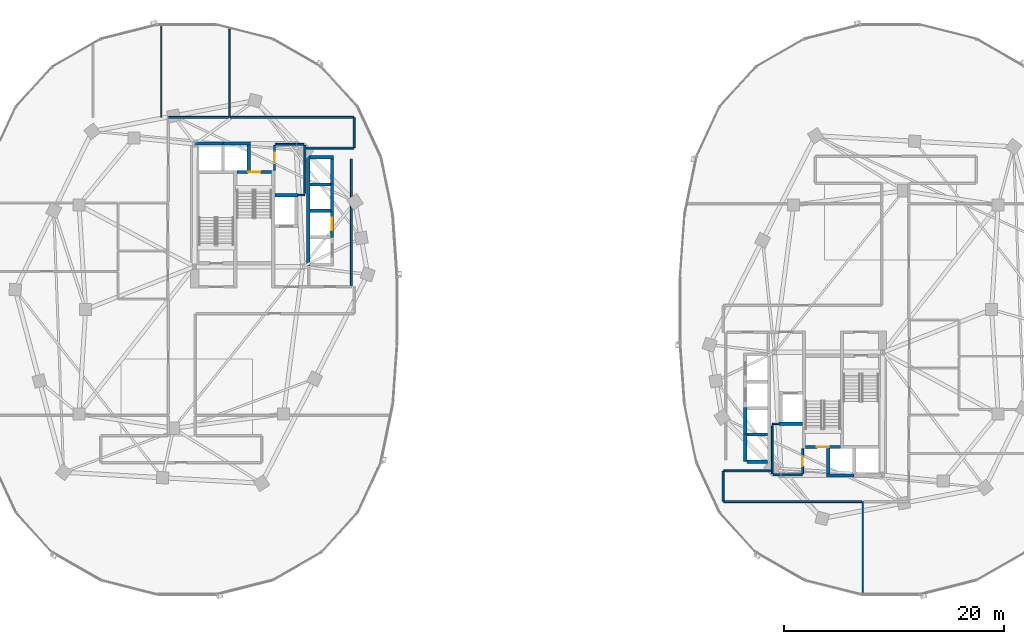
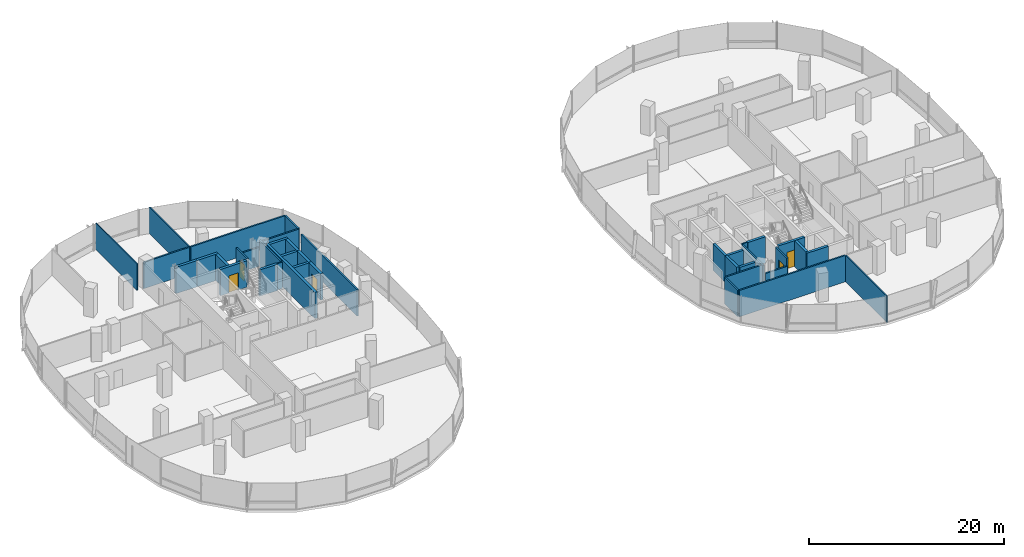
# One storey, part 12 of 21: 39 walls, 5 doors, 5 openings.
"""IFC4 building model written with IfcOpenShell, lengths in metres."""

from ifc_helpers import new_model, si_unit, direction, frame, frame_2d, origin, place, context, subcontext, project, spatial, rectangle, extrude, material, layer, layer_set, type_object, element, fill, save


model = new_model("IFC4")

# Units and contexts
model_context = context("Model", 3, precision=1e-05, world=origin(), true_north=direction((0.0, 1.0)))
body_context = subcontext(model_context, "Body", "Model", "MODEL_VIEW")
ifc_project = project(units=[si_unit("LENGTHUNIT", "METRE"), si_unit("AREAUNIT", "SQUARE_METRE"), si_unit("VOLUMEUNIT", "CUBIC_METRE"), si_unit("PLANEANGLEUNIT", "RADIAN"), si_unit("MASSUNIT", "GRAM", prefix="KILO"), si_unit("THERMODYNAMICTEMPERATUREUNIT", "KELVIN"), si_unit("POWERUNIT", "WATT")], contexts=[model_context])

# Site, building, storey
site_placement = place(None, origin())
site = spatial("IfcSite", under=ifc_project, at=site_placement, CompositionType="ELEMENT")
building_placement = place(site_placement, origin())
building = spatial("IfcBuilding", under=site, at=building_placement, Name="Cundina Bronze Exchange", CompositionType="ELEMENT")
storey_placement = place(building_placement, frame((0.0, 0.0, 92.60009765625)))
storey = spatial("IfcBuildingStorey", under=building, at=storey_placement, Name="L23", CompositionType="ELEMENT", Elevation=92.60009765625)

# Walls
ifc_material_1 = material(Name="Gypsum Fireboard Partition EI120")
ifc_layer_1 = layer(ifc_material_1, 0.179931640625, Name="Gypsum Fireboard Partition EI120")
ifc_layer_set_1 = layer_set([ifc_layer_1], Name="Gypsum Fireboard Partition EI120")
wall_type_1 = type_object("IfcWallType", Name="WL-COR-180", PredefinedType="PARTITIONING", material=ifc_layer_set_1)
wall_1_placement = place(storey_placement, frame((-17.02001953125, 2.169921875, 0.0), z_axis=(0.0, 0.0, 1.0), x_axis=(0.0, 1.0, 0.0)))
element("IfcWall", 1, at=wall_1_placement, inside=storey, type_object=wall_type_1, Name="L23 Interior Partition 001", PredefinedType="PARTITIONING", context=body_context, shape_type="SweptSolid", body=[
    extrude(rectangle(XDim=11.510009765625, YDim=0.179931640625, at=frame_2d((5.7548828125, 0.0))), origin(), (0.0, 0.0, 1.0), 3.2998046875),
])
wall_2_placement = place(storey_placement, frame((-21.25, 10.570068359375, 0.0), z_axis=(0.0, 0.0, 1.0), x_axis=(0.0, 1.0, 0.0)))
element("IfcWall", 2, at=wall_2_placement, inside=storey, type_object=wall_type_1, Name="L23 Interior Partition 004", PredefinedType="PARTITIONING", context=body_context, shape_type="SweptSolid", body=[
    extrude(rectangle(XDim=4.35986328125, YDim=0.179931640625, at=frame_2d((2.179931640625, 0.0))), origin(), (0.0, 0.0, 1.0), 3.2998046875),
])
wall_3_placement = place(storey_placement, frame((-23.9599609375, 15.030029296875, 0.0), z_axis=(0.0, 0.0, 1.0), x_axis=(1.0, 0.0, 0.0)))
element("IfcWall", 3, at=wall_3_placement, inside=storey, type_object=wall_type_1, Name="L23 Interior Partition 005", PredefinedType="PARTITIONING", context=body_context, shape_type="SweptSolid", body=[
    extrude(rectangle(XDim=2.60986328125, YDim=0.179931640625, at=frame_2d((1.304931640625, 0.0))), origin(), (0.0, 0.0, 1.0), 2.372802734375),
])

# Wall, opening, door
wall_4_placement = place(storey_placement, frame((-24.02001953125, 12.669921875, 0.0), z_axis=(0.0, 0.0, 1.0), x_axis=(0.0, 1.0, 0.0)))
wall_4 = element("IfcWall", 4, at=wall_4_placement, inside=storey, type_object=wall_type_1, Name="L23 Interior Partition 006", PredefinedType="PARTITIONING", context=body_context, shape_type="SweptSolid", body=[
    extrude(rectangle(XDim=2.260009765625, YDim=0.179931640625, at=frame_2d((1.1298828125, 0.0))), origin(), (0.0, 0.0, 1.0), 3.2998046875),
])
opening_1_placement = place(wall_4_placement, frame((0.655029296875, 0.0, 0.0)))
opening_1 = element("IfcOpeningElement", 5, at=opening_1_placement, cuts=wall_4, Name="Opening DW-01", PredefinedType="OPENING", context=body_context, shape_type="SweptSolid", body=[
    extrude(rectangle(XDim=0.949951171875, YDim=2.10009765625, at=frame_2d((0.47509765625, 1.050048828125))), frame((0.0, 0.099853515625, 0.0), z_axis=(0.0, -1.0, 0.0), x_axis=(1.0, 0.0, 0.0)), (0.0, 0.0, 1.0), 0.199951171875),
])
ifc_material_2 = material(Name="Solid Andean Oak Timber Grade A", Category="wood")
door_type_1 = type_object("IfcDoorType", Name="DR-WC-950", OperationType="NOTDEFINED", PredefinedType="DOOR", material=ifc_material_2)
door_1_placement = place(opening_1_placement, origin())
door_1 = element("IfcDoor", 6, at=door_1_placement, inside=storey, type_object=door_type_1, Name="L23 Interior Door 006", OperationType="SINGLE_SWING_LEFT", OverallHeight=2.10009765625, OverallWidth=0.949951171875, PredefinedType="DOOR", context=body_context, shape_type="SweptSolid", body=[
    extrude(rectangle(XDim=0.949951171875, YDim=2.10009765625, at=frame_2d((0.47509765625, 1.050048828125))), frame((0.0, 0.02490234375, 0.0), z_axis=(0.0, -1.0, 0.0), x_axis=(1.0, 0.0, 0.0)), (0.0, 0.0, 1.0), 0.050048828125),
])
fill(opening_1, door_1)

# Walls
wall_5_placement = place(storey_placement, frame((-16.821533203125, 17.469970703125, 0.0), z_axis=(0.0, 0.0, 1.0), x_axis=(-1.0, 0.0, 0.0)))
element("IfcWall", 7, at=wall_5_placement, inside=storey, type_object=wall_type_1, Name="L23 Interior Partition 030", PredefinedType="PARTITIONING", context=body_context, shape_type="SweptSolid", body=[
    extrude(rectangle(XDim=11.20849609375, YDim=0.179931640625, at=frame_2d((5.604248046875, 0.0))), origin(), (0.0, 0.0, 1.0), 3.2998046875),
])
wall_6_placement = place(storey_placement, frame((-21.178466796875, 14.679931640625, 0.0), z_axis=(0.0, 0.0, 1.0), x_axis=(1.0, 0.0, 0.0)))
element("IfcWall", 8, at=wall_6_placement, inside=storey, type_object=wall_type_1, Name="L23 Interior Partition 032", PredefinedType="PARTITIONING", context=body_context, shape_type="SweptSolid", body=[
    extrude(rectangle(XDim=4.35693359375, YDim=0.179931640625, at=frame_2d((2.178466796875, 0.0))), origin(), (0.0, 0.0, 1.0), 3.2998046875),
])
wall_7_placement = place(storey_placement, frame((-16.780029296875, 14.721435546875, 0.0), z_axis=(0.0, 0.0, 1.0), x_axis=(0.0, 1.0, 0.0)))
element("IfcWall", 9, at=wall_7_placement, inside=storey, type_object=wall_type_1, Name="L23 Interior Partition 033", PredefinedType="PARTITIONING", context=body_context, shape_type="SweptSolid", body=[
    extrude(rectangle(XDim=2.70703125, YDim=0.179931640625, at=frame_2d((1.353515625, 0.0))), origin(), (0.0, 0.0, 1.0), 3.2998046875),
])
wall_8_placement = place(storey_placement, frame((-28.2099609375, 17.469970703125, 0.0), z_axis=(0.0, 0.0, 1.0), x_axis=(-1.0, 0.0, 0.0)))
element("IfcWall", 10, at=wall_8_placement, inside=storey, type_object=wall_type_1, Name="L23 Interior Partition 036", PredefinedType="PARTITIONING", context=body_context, shape_type="SweptSolid", body=[
    extrude(rectangle(XDim=5.41845703125, YDim=0.179931640625, at=frame_2d((2.709228515625, 0.0))), origin(), (0.0, 0.0, 1.0), 3.2998046875),
])
wall_9_placement = place(storey_placement, frame((21.25, -14.929931640625, 0.0), z_axis=(0.0, 0.0, 1.0), x_axis=(0.0, 1.0, 0.0)))
element("IfcWall", 11, at=wall_9_placement, inside=storey, type_object=wall_type_1, Name="L23 Interior Partition 041", PredefinedType="PARTITIONING", context=body_context, shape_type="SweptSolid", body=[
    extrude(rectangle(XDim=4.35986328125, YDim=0.179931640625, at=frame_2d((2.179931640625, 0.0))), origin(), (0.0, 0.0, 1.0), 3.2998046875),
])
wall_10_placement = place(storey_placement, frame((21.35009765625, -15.030029296875, 0.0), z_axis=(0.0, 0.0, 1.0), x_axis=(1.0, 0.0, 0.0)))
element("IfcWall", 12, at=wall_10_placement, inside=storey, type_object=wall_type_1, Name="L23 Interior Partition 042", PredefinedType="PARTITIONING", context=body_context, shape_type="SweptSolid", body=[
    extrude(rectangle(XDim=2.60986328125, YDim=0.179931640625, at=frame_2d((1.304931640625, 0.0))), origin(), (0.0, 0.0, 1.0), 2.372802734375),
])

# Wall, opening, door
wall_11_placement = place(storey_placement, frame((24.02001953125, -14.929931640625, 0.0), z_axis=(0.0, 0.0, 1.0), x_axis=(0.0, 1.0, 0.0)))
wall_11 = element("IfcWall", 13, at=wall_11_placement, inside=storey, type_object=wall_type_1, Name="L23 Interior Partition 043", PredefinedType="PARTITIONING", context=body_context, shape_type="SweptSolid", body=[
    extrude(rectangle(XDim=2.260009765625, YDim=0.179931640625, at=frame_2d((1.1298828125, 0.0))), origin(), (0.0, 0.0, 1.0), 3.2998046875),
])
opening_2_placement = place(wall_11_placement, frame((0.655029296875, 0.0, 0.0)))
opening_2 = element("IfcOpeningElement", 14, at=opening_2_placement, cuts=wall_11, Name="Opening DW-01", PredefinedType="OPENING", context=body_context, shape_type="SweptSolid", body=[
    extrude(rectangle(XDim=0.949951171875, YDim=2.10009765625, at=frame_2d((0.47509765625, 1.050048828125))), frame((0.0, 0.099853515625, 0.0), z_axis=(0.0, -1.0, 0.0), x_axis=(1.0, 0.0, 0.0)), (0.0, 0.0, 1.0), 0.199951171875),
])
door_2_placement = place(opening_2_placement, origin())
door_2 = element("IfcDoor", 15, at=door_2_placement, inside=storey, type_object=door_type_1, Name="L23 Interior Door 043", OperationType="SINGLE_SWING_RIGHT", OverallHeight=2.10009765625, OverallWidth=0.949951171875, PredefinedType="DOOR", context=body_context, shape_type="SweptSolid", body=[
    extrude(rectangle(XDim=0.949951171875, YDim=2.10009765625, at=frame_2d((0.47509765625, 1.050048828125))), frame((0.0, 0.02490234375, 0.0), z_axis=(0.0, -1.0, 0.0), x_axis=(1.0, 0.0, 0.0)), (0.0, 0.0, 1.0), 0.050048828125),
])
fill(opening_2, door_2)

# Walls
wall_12_placement = place(storey_placement, frame((16.821533203125, -17.469970703125, 0.0), z_axis=(0.0, 0.0, 1.0), x_axis=(1.0, 0.0, 0.0)))
element("IfcWall", 16, at=wall_12_placement, inside=storey, type_object=wall_type_1, Name="L23 Interior Partition 061", PredefinedType="PARTITIONING", context=body_context, shape_type="SweptSolid", body=[
    extrude(rectangle(XDim=12.568359375, YDim=0.179931640625, at=frame_2d((6.2841796875, 0.0))), origin(), (0.0, 0.0, 1.0), 3.2998046875),
])
wall_13_placement = place(storey_placement, frame((21.178466796875, -14.679931640625, 0.0), z_axis=(0.0, 0.0, 1.0), x_axis=(-1.0, 0.0, 0.0)))
element("IfcWall", 17, at=wall_13_placement, inside=storey, type_object=wall_type_1, Name="L23 Interior Partition 063", PredefinedType="PARTITIONING", context=body_context, shape_type="SweptSolid", body=[
    extrude(rectangle(XDim=4.35693359375, YDim=0.179931640625, at=frame_2d((2.178466796875, 0.0))), origin(), (0.0, 0.0, 1.0), 3.2998046875),
])
wall_14_placement = place(storey_placement, frame((16.780029296875, -14.721435546875, 0.0), z_axis=(0.0, 0.0, 1.0), x_axis=(0.0, -1.0, 0.0)))
element("IfcWall", 18, at=wall_14_placement, inside=storey, type_object=wall_type_1, Name="L23 Interior Partition 064", PredefinedType="PARTITIONING", context=body_context, shape_type="SweptSolid", body=[
    extrude(rectangle(XDim=2.70703125, YDim=0.179931640625, at=frame_2d((1.353515625, 0.0))), origin(), (0.0, 0.0, 1.0), 3.2998046875),
])
ifc_material_3 = material(Name="Gypsum Acoustic Partition EI60")
ifc_layer_2 = layer(ifc_material_3, 0.125, Name="Gypsum Acoustic Partition EI60")
ifc_layer_set_2 = layer_set([ifc_layer_2], Name="Gypsum Acoustic Partition EI60")
wall_type_2 = type_object("IfcWallType", Name="WL-OFF-125", PredefinedType="PARTITIONING", material=ifc_layer_set_2)
wall_15_placement = place(storey_placement, frame((-34.320068359375, 17.469970703125, 0.0), z_axis=(0.0, 0.0, 1.0), x_axis=(0.0, 1.0, 0.0)))
element("IfcWall", 19, at=wall_15_placement, inside=storey, type_object=wall_type_2, Name="L23 Interior Partition 019", PredefinedType="PARTITIONING", context=body_context, shape_type="SweptSolid", body=[
    extrude(rectangle(XDim=8.51513671875, YDim=0.125, at=frame_2d((4.257568359375, 0.0))), origin(), (0.0, 0.0, 1.0), 3.2998046875),
])
wall_16_placement = place(storey_placement, frame((-28.1201171875, 17.5, 0.0), z_axis=(0.0, 0.0, 1.0), x_axis=(0.0, 1.0, 0.0)))
element("IfcWall", 20, at=wall_16_placement, inside=storey, type_object=wall_type_2, Name="L23 Interior Partition 020", PredefinedType="PARTITIONING", context=body_context, shape_type="SweptSolid", body=[
    extrude(rectangle(XDim=8.1875, YDim=0.125, at=frame_2d((4.09375, 0.0))), origin(), (0.0, 0.0, 1.0), 3.2998046875),
])
wall_17_placement = place(storey_placement, frame((29.47998046875, -25.985107421875, 0.0), z_axis=(0.0, 0.0, 1.0), x_axis=(0.0, 1.0, 0.0)))
element("IfcWall", 21, at=wall_17_placement, inside=storey, type_object=wall_type_2, Name="L23 Interior Partition 056", PredefinedType="PARTITIONING", context=body_context, shape_type="SweptSolid", body=[
    extrude(rectangle(XDim=8.485107421875, YDim=0.125, at=frame_2d((4.24267578125, 0.0))), origin(), (0.0, 0.0, 1.0), 3.2998046875),
])

# Wall, opening, door
ifc_material_4 = material(Name="Concrete C50/60", Category="concrete")
ifc_layer_3 = layer(ifc_material_4, 0.300048828125, Name="Concrete C50/60", Category="concrete")
ifc_layer_set_3 = layer_set([ifc_layer_3], Name="Concrete C50/60")
wall_type_3 = type_object("IfcWallType", Name="WL-SHFT-300", PredefinedType="SHEAR", material=ifc_layer_set_3)
wall_18_placement = place(storey_placement, frame((-27.43994140625, 12.5, 0.0), z_axis=(0.0, 0.0, 1.0), x_axis=(1.0, 0.0, 0.0)))
wall_18 = element("IfcWall", 22, at=wall_18_placement, inside=storey, type_object=wall_type_3, Name="L23 Stair W2 Landing Wall", PredefinedType="SHEAR", context=body_context, shape_type="SweptSolid", body=[
    extrude(rectangle(XDim=3.159912109375, YDim=0.300048828125, at=frame_2d((1.580078125, 0.0))), origin(), (0.0, 0.0, 1.0), 3.2998046875),
])
opening_3_placement = place(wall_18_placement, frame((1.030029296875, 0.0, 0.0)))
opening_3 = element("IfcOpeningElement", 23, at=opening_3_placement, cuts=wall_18, Name="Opening DS-01", PredefinedType="OPENING", context=body_context, shape_type="SweptSolid", body=[
    extrude(rectangle(XDim=1.10009765625, YDim=2.14990234375, at=frame_2d((0.550048828125, 1.074951171875))), frame((0.0, 0.159912109375, 0.0), z_axis=(0.0, -1.0, 0.0), x_axis=(1.0, 0.0, 0.0)), (0.0, 0.0, 1.0), 0.320068359375),
])
ifc_material_5 = material(Name="Steel ASTM A36 Painted", Category="steel")
door_type_2 = type_object("IfcDoorType", Name="DR-STR-1100", OperationType="NOTDEFINED", PredefinedType="DOOR", material=ifc_material_5)
door_3_placement = place(opening_3_placement, origin())
door_3 = element("IfcDoor", 24, at=door_3_placement, inside=storey, type_object=door_type_2, Name="L23 Smokeproof Stair W2 Door", OperationType="SINGLE_SWING_LEFT", OverallHeight=2.14990234375, OverallWidth=1.10009765625, PredefinedType="DOOR", context=body_context, shape_type="SweptSolid", body=[
    extrude(rectangle(XDim=1.10009765625, YDim=2.14990234375, at=frame_2d((0.550048828125, 1.074951171875))), frame((0.0, 0.02490234375, 0.0), z_axis=(0.0, -1.0, 0.0), x_axis=(1.0, 0.0, 0.0)), (0.0, 0.0, 1.0), 0.050048828125),
])
fill(opening_3, door_3)

# Walls
wall_19_placement = place(storey_placement, frame((-23.97998046875, 10.39990234375, 0.0), z_axis=(0.0, 0.0, 1.0), x_axis=(1.0, 0.0, 0.0)))
element("IfcWall", 25, at=wall_19_placement, inside=storey, type_object=wall_type_3, Name="L23 FFL-W Hoistway Back Wall", PredefinedType="SHEAR", context=body_context, shape_type="SweptSolid", body=[
    extrude(rectangle(XDim=2.10009765625, YDim=0.300048828125, at=frame_2d((1.050048828125, 0.0))), origin(), (0.0, 0.0, 1.0), 3.2998046875),
])
for number, where, z_axis, x_axis, name in (
    (26, (-31.199951171875, 15.10009765625, 0.0), (0.0, 0.0, 1.0), (1.0, 0.0, 0.0), "L23 PH-W1 Hoistway Front Wall"),
    (27, (-28.699951171875, 15.10009765625, 0.0), (0.0, 0.0, 1.0), (1.0, 0.0, 0.0), "L23 PH-W2 Hoistway Front Wall"),
):
    element("IfcWall", number, at=place(storey_placement, frame(where, z_axis=z_axis, x_axis=x_axis)), inside=storey, type_object=wall_type_3, Name=name, PredefinedType="SHEAR", context=body_context, shape_type="SweptSolid", body=[
        extrude(rectangle(XDim=2.5, YDim=0.300048828125, at=frame_2d((1.25, 0.0))), origin(), (0.0, 0.0, 1.0), 3.2998046875),
    ])
wall_20_placement = place(storey_placement, frame((-26.35009765625, 12.64990234375, 0.0), z_axis=(0.0, 0.0, 1.0), x_axis=(0.0, 1.0, 0.0)))
element("IfcWall", 28, at=wall_20_placement, inside=storey, type_object=wall_type_3, Name="L23 PH-W2 Hoistway Divider Wall", PredefinedType="SHEAR", context=body_context, shape_type="SweptSolid", body=[
    extrude(rectangle(XDim=2.300048828125, YDim=0.300048828125, at=frame_2d((1.14990234375, 0.0))), origin(), (0.0, 0.0, 1.0), 3.2998046875),
])
wall_21_placement = place(storey_placement, frame((-20.949951171875, 3.949951171875, 0.0), z_axis=(0.0, 0.0, 1.0), x_axis=(0.0, 1.0, 0.0)))
element("IfcWall", 29, at=wall_21_placement, inside=storey, type_object=wall_type_3, Name="L23 W Passenger Bank Hoistway Back Wall", PredefinedType="SHEAR", context=body_context, shape_type="SweptSolid", body=[
    extrude(rectangle(XDim=10.050048828125, YDim=0.300048828125, at=frame_2d((5.02490234375, 0.0))), origin(), (0.0, 0.0, 1.0), 3.2998046875),
])
wall_22_placement = place(storey_placement, frame((-20.800048828125, 13.85009765625, 0.0), z_axis=(0.0, 0.0, 1.0), x_axis=(1.0, 0.0, 0.0)))
element("IfcWall", 30, at=wall_22_placement, inside=storey, type_object=wall_type_3, Name="L23 W Passenger Bank North Cap Wall", PredefinedType="SHEAR", context=body_context, shape_type="SweptSolid", body=[
    extrude(rectangle(XDim=2.150146484375, YDim=0.300048828125, at=frame_2d((1.0751953125, 0.0))), origin(), (0.0, 0.0, 1.0), 3.2998046875),
])
for number, where, z_axis, x_axis, name in (
    (31, (-20.800048828125, 8.97509765625, 0.0), (0.0, 0.0, 1.0), (1.0, 0.0, 0.0), "L23 W Passenger Hoistway Divider 2"),
    (32, (-20.800048828125, 11.375, 0.0), (0.0, 0.0, 1.0), (1.0, 0.0, 0.0), "L23 W Passenger Hoistway Divider 3"),
):
    element("IfcWall", number, at=place(storey_placement, frame(where, z_axis=z_axis, x_axis=x_axis)), inside=storey, type_object=wall_type_3, Name=name, PredefinedType="SHEAR", context=body_context, shape_type="SweptSolid", body=[
        extrude(rectangle(XDim=1.85009765625, YDim=0.300048828125, at=frame_2d((0.925048828125, 0.0))), origin(), (0.0, 0.0, 1.0), 3.2998046875),
    ])

# Wall, opening, door
wall_23_placement = place(storey_placement, frame((-18.800048828125, 6.530029296875, 0.0), z_axis=(0.0, 0.0, 1.0), x_axis=(0.0, 1.0, 0.0)))
wall_23 = element("IfcWall", 33, at=wall_23_placement, inside=storey, type_object=wall_type_3, Name="L23 PL-W1 Hoistway Front Wall", PredefinedType="SHEAR", context=body_context, shape_type="SweptSolid", body=[
    extrude(rectangle(XDim=2.489990234375, YDim=0.300048828125, at=frame_2d((1.2451171875, 0.0))), origin(), (0.0, 0.0, 1.0), 3.2998046875),
])
opening_4_placement = place(wall_23_placement, frame((0.669921875, 0.0, 0.0)))
opening_4 = element("IfcOpeningElement", 34, at=opening_4_placement, cuts=wall_23, Name="Opening LD-01", PredefinedType="OPENING", context=body_context, shape_type="SweptSolid", body=[
    extrude(rectangle(XDim=1.14990234375, YDim=2.199951171875, at=frame_2d((0.574951171875, 1.10009765625))), frame((0.0, 0.159912109375, 0.0), z_axis=(0.0, -1.0, 0.0), x_axis=(1.0, 0.0, 0.0)), (0.0, 0.0, 1.0), 0.320068359375),
])
door_type_3 = type_object("IfcDoorType", Name="DR-LND-1150", OperationType="NOTDEFINED", PredefinedType="TRAPDOOR", material=ifc_material_5)
door_4_placement = place(opening_4_placement, origin())
door_4 = element("IfcDoor", 35, at=door_4_placement, inside=storey, type_object=door_type_3, Name="L23 PL-W1 Sliding Landing Door", OperationType="SLIDING_TO_LEFT", OverallHeight=2.199951171875, OverallWidth=1.14990234375, PredefinedType="TRAPDOOR", context=body_context, shape_type="SweptSolid", body=[
    extrude(rectangle(XDim=1.14990234375, YDim=2.199951171875, at=frame_2d((0.574951171875, 1.10009765625))), frame((0.0, 0.02490234375, 0.0), z_axis=(0.0, -1.0, 0.0), x_axis=(1.0, 0.0, 0.0)), (0.0, 0.0, 1.0), 0.050048828125),
])
fill(opening_4, door_4)

# Walls
for number, where, z_axis, x_axis, name in (
    (36, (-18.800048828125, 8.929931640625, 0.0), (0.0, 0.0, 1.0), (0.0, 1.0, 0.0), "L23 PM-W2 Hoistway Front Wall"),
    (37, (-18.800048828125, 11.330078125, 0.0), (0.0, 0.0, 1.0), (0.0, 1.0, 0.0), "L23 PM-W1 Hoistway Front Wall"),
):
    element("IfcWall", number, at=place(storey_placement, frame(where, z_axis=z_axis, x_axis=x_axis)), inside=storey, type_object=wall_type_3, Name=name, PredefinedType="SHEAR", context=body_context, shape_type="SweptSolid", body=[
        extrude(rectangle(XDim=2.489990234375, YDim=0.300048828125, at=frame_2d((1.2451171875, 0.0))), origin(), (0.0, 0.0, 1.0), 3.2998046875),
    ])

# Wall, opening, door
wall_24_placement = place(storey_placement, frame((24.280029296875, -12.5, 0.0), z_axis=(0.0, 0.0, 1.0), x_axis=(1.0, 0.0, 0.0)))
wall_24 = element("IfcWall", 38, at=wall_24_placement, inside=storey, type_object=wall_type_3, Name="L23 Stair E2 Landing Wall", PredefinedType="SHEAR", context=body_context, shape_type="SweptSolid", body=[
    extrude(rectangle(XDim=3.159912109375, YDim=0.300048828125, at=frame_2d((1.580078125, 0.0))), origin(), (0.0, 0.0, 1.0), 3.2998046875),
])
opening_5_placement = place(wall_24_placement, frame((1.030029296875, 0.0, 0.0)))
opening_5 = element("IfcOpeningElement", 39, at=opening_5_placement, cuts=wall_24, Name="Opening DS-01", PredefinedType="OPENING", context=body_context, shape_type="SweptSolid", body=[
    extrude(rectangle(XDim=1.10009765625, YDim=2.14990234375, at=frame_2d((0.550048828125, 1.074951171875))), frame((0.0, 0.159912109375, 0.0), z_axis=(0.0, -1.0, 0.0), x_axis=(1.0, 0.0, 0.0)), (0.0, 0.0, 1.0), 0.320068359375),
])
door_5_placement = place(opening_5_placement, origin())
door_5 = element("IfcDoor", 40, at=door_5_placement, inside=storey, type_object=door_type_2, Name="L23 Smokeproof Stair E2 Door", OperationType="SINGLE_SWING_RIGHT", OverallHeight=2.14990234375, OverallWidth=1.10009765625, PredefinedType="DOOR", context=body_context, shape_type="SweptSolid", body=[
    extrude(rectangle(XDim=1.10009765625, YDim=2.14990234375, at=frame_2d((0.550048828125, 1.074951171875))), frame((0.0, 0.02490234375, 0.0), z_axis=(0.0, -1.0, 0.0), x_axis=(1.0, 0.0, 0.0)), (0.0, 0.0, 1.0), 0.050048828125),
])
fill(opening_5, door_5)

# Walls
wall_25_placement = place(storey_placement, frame((21.8798828125, -10.39990234375, 0.0), z_axis=(0.0, 0.0, 1.0), x_axis=(1.0, 0.0, 0.0)))
element("IfcWall", 41, at=wall_25_placement, inside=storey, type_object=wall_type_3, Name="L23 FFL-E Hoistway Back Wall", PredefinedType="SHEAR", context=body_context, shape_type="SweptSolid", body=[
    extrude(rectangle(XDim=2.10009765625, YDim=0.300048828125, at=frame_2d((1.050048828125, 0.0))), origin(), (0.0, 0.0, 1.0), 3.2998046875),
])
wall_26_placement = place(storey_placement, frame((26.199951171875, -15.10009765625, 0.0), z_axis=(0.0, 0.0, 1.0), x_axis=(1.0, 0.0, 0.0)))
element("IfcWall", 42, at=wall_26_placement, inside=storey, type_object=wall_type_3, Name="L23 PH-E2 Hoistway Front Wall", PredefinedType="SHEAR", context=body_context, shape_type="SweptSolid", body=[
    extrude(rectangle(XDim=2.5, YDim=0.300048828125, at=frame_2d((1.25, 0.0))), origin(), (0.0, 0.0, 1.0), 3.2998046875),
])
wall_27_placement = place(storey_placement, frame((26.35009765625, -14.949951171875, 0.0), z_axis=(0.0, 0.0, 1.0), x_axis=(0.0, 1.0, 0.0)))
element("IfcWall", 43, at=wall_27_placement, inside=storey, type_object=wall_type_3, Name="L23 PH-E2 Hoistway Divider Wall", PredefinedType="SHEAR", context=body_context, shape_type="SweptSolid", body=[
    extrude(rectangle(XDim=2.300048828125, YDim=0.300048828125, at=frame_2d((1.14990234375, 0.0))), origin(), (0.0, 0.0, 1.0), 3.2998046875),
])
for number, where, z_axis, x_axis, name in (
    (44, (18.949951171875, -13.85009765625, 0.0), (0.0, 0.0, 1.0), (1.0, 0.0, 0.0), "L23 E Passenger Bank South Cap Wall"),
    (45, (18.949951171875, -11.375, 0.0), (0.0, 0.0, 1.0), (1.0, 0.0, 0.0), "L23 E Passenger Hoistway Divider 1"),
):
    element("IfcWall", number, at=place(storey_placement, frame(where, z_axis=z_axis, x_axis=x_axis)), inside=storey, type_object=wall_type_3, Name=name, PredefinedType="SHEAR", context=body_context, shape_type="SweptSolid", body=[
        extrude(rectangle(XDim=1.85009765625, YDim=0.300048828125, at=frame_2d((0.925048828125, 0.0))), origin(), (0.0, 0.0, 1.0), 3.2998046875),
    ])
for number, where, z_axis, x_axis, name in (
    (46, (18.800048828125, -13.820068359375, 0.0), (0.0, 0.0, 1.0), (0.0, 1.0, 0.0), "L23 PM-E1 Hoistway Front Wall"),
    (47, (18.800048828125, -11.419921875, 0.0), (0.0, 0.0, 1.0), (0.0, 1.0, 0.0), "L23 PM-E2 Hoistway Front Wall"),
):
    element("IfcWall", number, at=place(storey_placement, frame(where, z_axis=z_axis, x_axis=x_axis)), inside=storey, type_object=wall_type_3, Name=name, PredefinedType="SHEAR", context=body_context, shape_type="SweptSolid", body=[
        extrude(rectangle(XDim=2.489990234375, YDim=0.300048828125, at=frame_2d((1.2451171875, 0.0))), origin(), (0.0, 0.0, 1.0), 3.2998046875),
    ])
ifc_material_6 = material(Name="Moisture-Resistant Masonry Block Grade M15", Category="masonry")
ifc_layer_4 = layer(ifc_material_6, 0.139892578125, Name="Moisture-Resistant Masonry Block Grade M15", Category="masonry")
ifc_layer_set_4 = layer_set([ifc_layer_4], Name="Moisture-Resistant Masonry Block Grade M15")
wall_type_4 = type_object("IfcWallType", Name="WL-WET-140", PredefinedType="PARTITIONING", material=ifc_layer_set_4)
for number, where, z_axis, x_axis, name in (
    (48, (-21.860107421875, 10.39990234375, 0.0), (0.0, 0.0, 1.0), (1.0, 0.0, 0.0), "L23 Interior Partition 003"),
    (49, (21.27001953125, -10.39990234375, 0.0), (0.0, 0.0, 1.0), (1.0, 0.0, 0.0), "L23 Interior Partition 040"),
):
    element("IfcWall", number, at=place(storey_placement, frame(where, z_axis=z_axis, x_axis=x_axis)), inside=storey, type_object=wall_type_4, Name=name, PredefinedType="PARTITIONING", context=body_context, shape_type="SweptSolid", body=[
        extrude(rectangle(XDim=0.590087890625, YDim=0.139892578125, at=frame_2d((0.294921875, 0.0))), origin(), (0.0, 0.0, 1.0), 3.2998046875),
    ])

save(model, "model.ifc")
